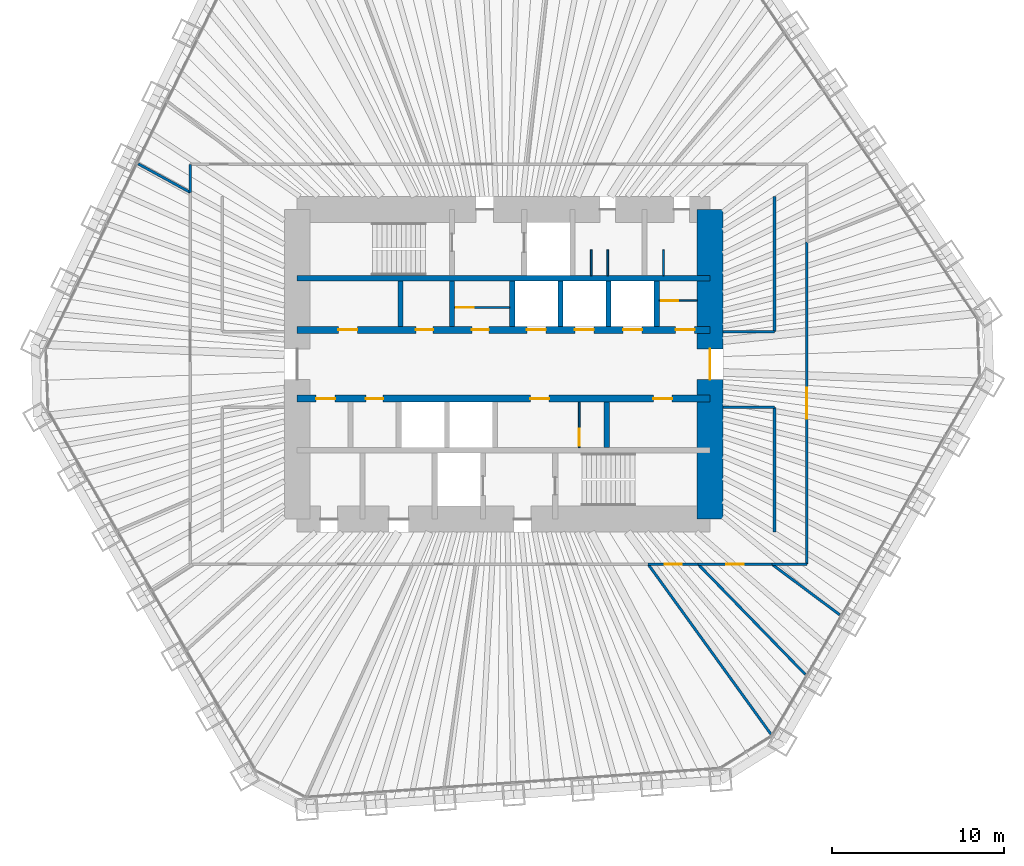
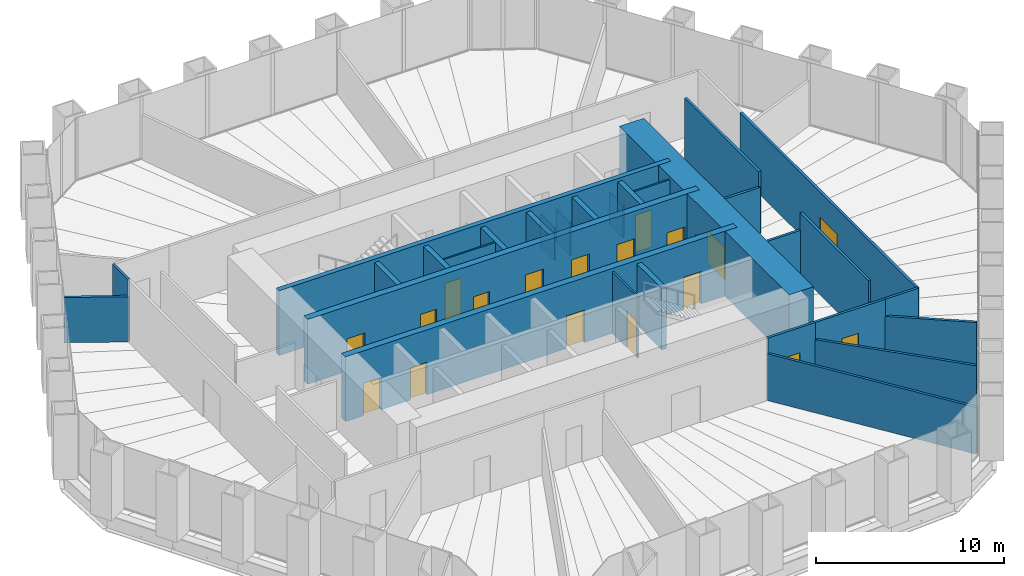
# One storey, part 11 of 13: 30 walls, 18 doors, 18 openings.
"""IFC4 building model written with IfcOpenShell, lengths in metres."""

import ifcopenshell
import ifcopenshell.guid

model = None  # the IFC model being written
_history = None  # IfcOwnerHistory: only IFC2X3 demands one
_inside = {}  # id of a spatial element -> (the spatial element, [elements in it])
_under = {}  # id of a project, library or spatial element -> (it, [spatial elements below it])
_declared = {}  # id of a project -> (the project, [libraries it declares])
_typed = {}  # id of a type object -> (the type object, [elements of that type])
_made_of = {}  # id of a material, layer set ... -> (it, [elements and type objects made of it])


def new_model(schema):
    """Start an empty IFC model of exactly this schema.

    Asked for "IFC4X3", IfcOpenShell would pick the latest addendum, in which some entities
    have other attributes; the version numbers below select the first issue.
    IFC2X3 requires an IfcOwnerHistory on every rooted entity: one is made here for all.
    """
    global model, _history
    if schema == "IFC4X3":
        model = ifcopenshell.file(schema_version=(4, 3, 0, 0))
    else:
        model = ifcopenshell.file(schema=schema)
    _inside.clear()
    _under.clear()
    _declared.clear()
    _typed.clear()
    _made_of.clear()
    _history = None
    if model.schema == "IFC2X3":
        org = make("IfcOrganization", Name="unknown")
        user = make(
            "IfcPersonAndOrganization",
            ThePerson=make("IfcPerson", FamilyName="unknown"),
            TheOrganization=org,
        )
        app = make(
            "IfcApplication",
            ApplicationDeveloper=org,
            Version="unknown",
            ApplicationFullName="unknown",
            ApplicationIdentifier="unknown",
        )
        _history = make(
            "IfcOwnerHistory",
            OwningUser=user,
            OwningApplication=app,
            ChangeAction="ADDED",
            CreationDate=0,
        )
    return model


def make(cls, **values):
    """One entity of the class cls with the attributes given. An attribute that is None is left unset."""
    return model.create_entity(
        cls, **{name: value for name, value in values.items() if value is not None}
    )


def rooted(cls, **values):
    """An entity with a GlobalId (a new one), such as an element, a storey or a relation."""
    return make(cls, GlobalId=ifcopenshell.guid.new(), OwnerHistory=_history, **values)


def si_unit(unit_type, name, prefix=None):
    """IfcSIUnit, for example si_unit("LENGTHUNIT", "METRE", prefix="MILLI")."""
    return make("IfcSIUnit", UnitType=unit_type, Prefix=prefix, Name=name)


def assignment(units):
    """IfcUnitAssignment: the units of a project."""
    return None if units is None else make("IfcUnitAssignment", Units=units)


def point(xyz):
    """IfcCartesianPoint."""
    return None if xyz is None else make("IfcCartesianPoint", Coordinates=xyz)


def direction(xyz):
    """IfcDirection."""
    return None if xyz is None else make("IfcDirection", DirectionRatios=xyz)


def frame(location, z_axis=None, x_axis=None):
    """IfcAxis2Placement3D, a coordinate frame: its origin and axes. An axis left out is left unset."""
    return make(
        "IfcAxis2Placement3D",
        Location=point(location),
        Axis=direction(z_axis),
        RefDirection=direction(x_axis),
    )


def frame_2d(location, x_axis=None):
    """IfcAxis2Placement2D, a coordinate frame in the plane: its origin and x axis."""
    return make(
        "IfcAxis2Placement2D", Location=point(location), RefDirection=direction(x_axis)
    )


def origin():
    """The frame at (0, 0, 0) with its axes left unset."""
    return frame((0.0, 0.0, 0.0))


def place(relative_to, where):
    """IfcLocalPlacement: puts the frame where relative to a parent placement (None: the world)."""
    return make(
        "IfcLocalPlacement", PlacementRelTo=relative_to, RelativePlacement=where
    )


def context(
    kind, dimensions, precision=None, world=None, true_north=None, identifier=None
):
    """IfcGeometricRepresentationContext, for example the 3D "Model" context."""
    return make(
        "IfcGeometricRepresentationContext",
        ContextIdentifier=identifier,
        ContextType=kind,
        CoordinateSpaceDimension=dimensions,
        Precision=precision,
        WorldCoordinateSystem=world,
        TrueNorth=true_north,
    )


def subcontext(parent, identifier, kind, view, scale=None):
    """IfcGeometricRepresentationSubContext, for example "Body" below "Model"."""
    return make(
        "IfcGeometricRepresentationSubContext",
        ContextIdentifier=identifier,
        ContextType=kind,
        ParentContext=parent,
        TargetScale=scale,
        TargetView=view,
    )


def project(units=None, contexts=None):
    """IfcProject with its units and contexts."""
    return rooted(
        "IfcProject",
        Name="project",
        RepresentationContexts=contexts,
        UnitsInContext=assignment(units),
    )


def spatial(cls, under=None, at=None, **own):
    """A site, building, storey or space (cls), placed at a placement, below another one or the project."""
    s = rooted(cls, ObjectPlacement=at, **own)
    if under is not None:
        _under.setdefault(under.id(), (under, []))[1].append(s)
    return s


def profile(cls, at=None, kind="AREA", **sizes):
    """A parametric profile (cls). Its sizes go by their IFC names, for example OverallWidth=200.0."""
    return make(cls, ProfileType=kind, Position=at, **sizes)


def rectangle(**sizes):
    """IfcRectangleProfileDef."""
    return profile("IfcRectangleProfileDef", **sizes)


def extrude(swept, where, along, depth):
    """IfcExtrudedAreaSolid: the profile swept, set in the frame where, extruded along a direction by depth."""
    return make(
        "IfcExtrudedAreaSolid",
        SweptArea=swept,
        Position=where,
        ExtrudedDirection=direction(along),
        Depth=depth,
    )


def shape(context_of_items, identifier, shape_type, items):
    """IfcShapeRepresentation: the items that make up one representation, for example the "Body"."""
    return make(
        "IfcShapeRepresentation",
        ContextOfItems=context_of_items,
        RepresentationIdentifier=identifier,
        RepresentationType=shape_type,
        Items=items,
    )


def material(Name=None, Category=None):
    """IfcMaterial."""
    return make("IfcMaterial", Name=Name, Category=Category)


def layer(
    of_material, thickness, ventilated=None, Name=None, Category=None, Priority=None
):
    """IfcMaterialLayer: one layer of a wall or slab, of a material (None: an air gap)."""
    return make(
        "IfcMaterialLayer",
        Material=of_material,
        LayerThickness=thickness,
        IsVentilated=ventilated,
        Name=Name,
        Category=Category,
        Priority=Priority,
    )


def layer_set(layers, Name=None):
    """IfcMaterialLayerSet."""
    return make("IfcMaterialLayerSet", MaterialLayers=layers, LayerSetName=Name)


def made_of(thing, what):
    """Note that an element or type object is made of a material, layer set ...; save() writes the relation."""
    if what is not None:
        _made_of.setdefault(what.id(), (what, []))[1].append(thing)
    return thing


def type_object(cls, material=None, **own):
    """A type object (cls), such as IfcWallType, which elements share."""
    return made_of(rooted(cls, **own), material)


def element(
    cls,
    number,
    at=None,
    inside=None,
    cuts=None,
    type_object=None,
    material=None,
    context=None,
    identifier="Body",
    shape_type=None,
    held_by="IfcProductDefinitionShape",
    body=None,
    shapes=None,
    **own,
):
    """One element of the class cls, such as IfcWall. Its Tag is "e" and its number.

    at: its placement. inside: the storey or other place that contains it. cuts: it is an
    opening in that element (IfcRelVoidsElement). A single representation is given by context,
    identifier, shape_type and body (its items); several are given by shapes. held_by: the class
    of the entity that holds the representations. save() writes the other relations.
    """
    e = rooted(cls, Tag="e%d" % number, ObjectPlacement=at, **own)
    if body is not None:
        shapes = [shape(context, identifier, shape_type, body)]
    if shapes is not None:
        e.Representation = make(held_by, Representations=shapes)
    if inside is not None:
        _inside.setdefault(inside.id(), (inside, []))[1].append(e)
    if cuts is not None:
        rooted(
            "IfcRelVoidsElement", RelatingBuildingElement=cuts, RelatedOpeningElement=e
        )
    if type_object is not None:
        _typed.setdefault(type_object.id(), (type_object, []))[1].append(e)
    return made_of(e, material)


def fill(opening, filler):
    """IfcRelFillsElement: the door or window that sits in an opening."""
    return rooted(
        "IfcRelFillsElement",
        RelatingOpeningElement=opening,
        RelatedBuildingElement=filler,
    )


def aggregate(whole, parts):
    """IfcRelAggregates: a whole, such as a stair, and the parts it consists of."""
    return rooted("IfcRelAggregates", RelatingObject=whole, RelatedObjects=parts)


def save(model, path):
    """Write the relations noted so far, then the file.

    IfcRelAggregates (storeys below a building ...), IfcRelContainedInSpatialStructure (elements
    in a storey), IfcRelDefinesByType, IfcRelAssociatesMaterial and IfcRelDeclares: one each for
    every whole, place, type object, material and project.
    """
    for whole, parts in _under.values():
        aggregate(whole, parts)
    for where, things in _inside.values():
        rooted(
            "IfcRelContainedInSpatialStructure",
            RelatedElements=things,
            RelatingStructure=where,
        )
    for kind, things in _typed.values():
        rooted("IfcRelDefinesByType", RelatedObjects=things, RelatingType=kind)
    for what, things in _made_of.values():
        rooted("IfcRelAssociatesMaterial", RelatedObjects=things, RelatingMaterial=what)
    for by, libraries in _declared.values():
        rooted("IfcRelDeclares", RelatingContext=by, RelatedDefinitions=libraries)
    model.write(path)


model = new_model("IFC4")

# Units and contexts
model_context = context("Model", 3, precision=1e-05, world=origin(), true_north=direction((0.0, 1.0)))
body_context = subcontext(model_context, "Body", "Model", "MODEL_VIEW")
ifc_project = project(units=[si_unit("LENGTHUNIT", "METRE"), si_unit("AREAUNIT", "SQUARE_METRE"), si_unit("VOLUMEUNIT", "CUBIC_METRE"), si_unit("PLANEANGLEUNIT", "RADIAN"), si_unit("MASSUNIT", "GRAM", prefix="KILO")], contexts=[model_context])

# Site, building, storey
site_placement = place(None, origin())
site = spatial("IfcSite", under=ifc_project, at=site_placement, CompositionType="ELEMENT")
building_placement = place(site_placement, origin())
building = spatial("IfcBuilding", under=site, at=building_placement, Name="Qingtian Harvest Tower", CompositionType="ELEMENT")
storey_placement = place(building_placement, frame((0.0, 0.0, 166.0)))
storey = spatial("IfcBuildingStorey", under=building, at=storey_placement, Name="L35", CompositionType="ELEMENT", Elevation=166.0)

# Wall
ifc_material_1 = material(Name="Concrete fc' 70 MPa", Category="concrete")
ifc_layer_1 = layer(ifc_material_1, 0.300048828125)
ifc_layer_set_1 = layer_set([ifc_layer_1], Name="Core inner wall RC5 300")
wall_type_1 = type_object("IfcWallType", Name="Core inner wall RC5 300", PredefinedType="SHEAR", material=ifc_layer_set_1)
wall_1_placement = place(storey_placement, frame((-12.0, 5.0, 0.0), z_axis=(0.0, 0.0, 1.0), x_axis=(1.0, 0.0, 0.0)))
element("IfcWall", 1, at=wall_1_placement, inside=storey, type_object=wall_type_1, Name="Core wall IN5 L35", PredefinedType="SHEAR", context=body_context, shape_type="SweptSolid", body=[
    extrude(rectangle(XDim=24.0, YDim=0.300048828125, at=frame_2d((12.0, 0.0))), origin(), (0.0, 0.0, 1.0), 4.199951171875),
])

# Wall, openings, doors
ifc_material_2 = material(Name="Concrete fc' 70 MPa", Category="concrete")
ifc_layer_2 = layer(ifc_material_2, 0.39990234375)
ifc_layer_set_2 = layer_set([ifc_layer_2], Name="Core inner web RC6 400")
wall_type_2 = type_object("IfcWallType", Name="Core inner web RC6 400", PredefinedType="SHEAR", material=ifc_layer_set_2)
wall_2_placement = place(storey_placement, frame((-12.0, 2.0, 0.0), z_axis=(0.0, 0.0, 1.0), x_axis=(1.0, 0.0, 0.0)))
wall_2 = element("IfcWall", 2, at=wall_2_placement, inside=storey, type_object=wall_type_2, Name="Core wall IN2 L35", PredefinedType="SHEAR", context=body_context, shape_type="SweptSolid", body=[
    extrude(rectangle(XDim=24.0, YDim=0.39990234375, at=frame_2d((12.0, 0.0))), origin(), (0.0, 0.0, 1.0), 4.199951171875),
])
opening_1_placement = place(wall_2_placement, frame((2.39990234375, 0.0, 0.0)))
opening_1 = element("IfcOpeningElement", 3, at=opening_1_placement, cuts=wall_2, Name="Opening FD4", PredefinedType="OPENING", context=body_context, shape_type="SweptSolid", body=[
    extrude(rectangle(XDim=1.10009765625, YDim=2.10009765625, at=frame_2d((0.550048828125, 1.050048828125))), frame((0.0, 0.2099609375, 0.0), z_axis=(0.0, -1.0, 0.0), x_axis=(1.0, 0.0, 0.0)), (0.0, 0.0, 1.0), 0.419921875),
])
opening_2_placement = place(wall_2_placement, frame((22.0, 0.0, 0.0)))
opening_2 = element("IfcOpeningElement", 4, at=opening_2_placement, cuts=wall_2, Name="Opening FD4", PredefinedType="OPENING", context=body_context, shape_type="SweptSolid", body=[
    extrude(rectangle(XDim=1.10009765625, YDim=2.10009765625, at=frame_2d((0.550048828125, 1.050048828125))), frame((0.0, 0.2099609375, 0.0), z_axis=(0.0, -1.0, 0.0), x_axis=(1.0, 0.0, 0.0)), (0.0, 0.0, 1.0), 0.419921875),
])
opening_3_placement = place(wall_2_placement, frame((10.14990234375, 0.0, 0.0)))
opening_3 = element("IfcOpeningElement", 5, at=opening_3_placement, cuts=wall_2, Name="Opening FD1", PredefinedType="OPENING", context=body_context, shape_type="SweptSolid", body=[
    extrude(rectangle(XDim=1.0, YDim=2.10009765625, at=frame_2d((0.5, 1.050048828125))), frame((0.0, 0.2099609375, 0.0), z_axis=(0.0, -1.0, 0.0), x_axis=(1.0, 0.0, 0.0)), (0.0, 0.0, 1.0), 0.419921875),
])
opening_4_placement = place(wall_2_placement, frame((6.89990234375, 0.0, 0.0)))
opening_4 = element("IfcOpeningElement", 6, at=opening_4_placement, cuts=wall_2, Name="Opening FD1", PredefinedType="OPENING", context=body_context, shape_type="SweptSolid", body=[
    extrude(rectangle(XDim=1.0, YDim=2.10009765625, at=frame_2d((0.5, 1.050048828125))), frame((0.0, 0.2099609375, 0.0), z_axis=(0.0, -1.0, 0.0), x_axis=(1.0, 0.0, 0.0)), (0.0, 0.0, 1.0), 0.419921875),
])
opening_5_placement = place(wall_2_placement, frame((13.35009765625, 0.0, 0.0)))
opening_5 = element("IfcOpeningElement", 7, at=opening_5_placement, cuts=wall_2, Name="Opening LD1", PredefinedType="OPENING", context=body_context, shape_type="SweptSolid", body=[
    extrude(rectangle(XDim=1.10009765625, YDim=2.39990234375, at=frame_2d((0.550048828125, 1.199951171875))), frame((0.0, 0.2099609375, 0.0), z_axis=(0.0, -1.0, 0.0), x_axis=(1.0, 0.0, 0.0)), (0.0, 0.0, 1.0), 0.419921875),
])
opening_6_placement = place(wall_2_placement, frame((16.14990234375, 0.0, 0.0)))
opening_6 = element("IfcOpeningElement", 8, at=opening_6_placement, cuts=wall_2, Name="Opening LD1", PredefinedType="OPENING", context=body_context, shape_type="SweptSolid", body=[
    extrude(rectangle(XDim=1.10009765625, YDim=2.39990234375, at=frame_2d((0.550048828125, 1.199951171875))), frame((0.0, 0.2099609375, 0.0), z_axis=(0.0, -1.0, 0.0), x_axis=(1.0, 0.0, 0.0)), (0.0, 0.0, 1.0), 0.419921875),
])
opening_7_placement = place(wall_2_placement, frame((18.949951171875, 0.0, 0.0)))
opening_7 = element("IfcOpeningElement", 9, at=opening_7_placement, cuts=wall_2, Name="Opening LD1", PredefinedType="OPENING", context=body_context, shape_type="SweptSolid", body=[
    extrude(rectangle(XDim=1.10009765625, YDim=2.39990234375, at=frame_2d((0.550048828125, 1.199951171875))), frame((0.0, 0.2099609375, 0.0), z_axis=(0.0, -1.0, 0.0), x_axis=(1.0, 0.0, 0.0)), (0.0, 0.0, 1.0), 0.419921875),
])
ifc_material_3 = material(Name="Steel-faced door leaf", Category="steel")
door_type_1 = type_object("IfcDoorType", Name="Fire door FD1 single 1 HR", OperationType="SINGLE_SWING_LEFT", PredefinedType="DOOR", material=ifc_material_3)
door_1_placement = place(opening_3_placement, origin())
door_1 = element("IfcDoor", 10, at=door_1_placement, inside=storey, type_object=door_type_1, Name="STA door L35", OperationType="SINGLE_SWING_LEFT", OverallHeight=2.10009765625, OverallWidth=1.0, PredefinedType="DOOR", context=body_context, shape_type="SweptSolid", body=[
    extrude(rectangle(XDim=1.0, YDim=2.10009765625, at=frame_2d((0.5, 1.050048828125))), frame((0.0, 0.02490234375, 0.0), z_axis=(0.0, -1.0, 0.0), x_axis=(1.0, 0.0, 0.0)), (0.0, 0.0, 1.0), 0.050048828125),
])
fill(opening_3, door_1)
door_2_placement = place(opening_4_placement, origin())
door_2 = element("IfcDoor", 11, at=door_2_placement, inside=storey, type_object=door_type_1, Name="Linen store door L35", OperationType="SINGLE_SWING_LEFT", OverallHeight=2.10009765625, OverallWidth=1.0, PredefinedType="DOOR", context=body_context, shape_type="SweptSolid", body=[
    extrude(rectangle(XDim=1.0, YDim=2.10009765625, at=frame_2d((0.5, 1.050048828125))), frame((0.0, 0.02490234375, 0.0), z_axis=(0.0, -1.0, 0.0), x_axis=(1.0, 0.0, 0.0)), (0.0, 0.0, 1.0), 0.050048828125),
])
fill(opening_4, door_2)
ifc_material_4 = material(Name="Steel-faced door leaf", Category="steel")
door_type_2 = type_object("IfcDoorType", Name="Fire door FD4 single 2 HR", OperationType="SINGLE_SWING_LEFT", PredefinedType="DOOR", material=ifc_material_4)
door_3_placement = place(opening_1_placement, origin())
door_3 = element("IfcDoor", 12, at=door_3_placement, inside=storey, type_object=door_type_2, Name="RA door L35", OperationType="SINGLE_SWING_RIGHT", OverallHeight=2.10009765625, OverallWidth=1.10009765625, PredefinedType="DOOR", context=body_context, shape_type="SweptSolid", body=[
    extrude(rectangle(XDim=1.10009765625, YDim=2.10009765625, at=frame_2d((0.550048828125, 1.050048828125))), frame((0.0, 0.02490234375, 0.0), z_axis=(0.0, -1.0, 0.0), x_axis=(1.0, 0.0, 0.0)), (0.0, 0.0, 1.0), 0.050048828125),
])
fill(opening_1, door_3)
door_4_placement = place(opening_2_placement, origin())
door_4 = element("IfcDoor", 13, at=door_4_placement, inside=storey, type_object=door_type_2, Name="AHU door L35", OperationType="SINGLE_SWING_RIGHT", OverallHeight=2.10009765625, OverallWidth=1.10009765625, PredefinedType="DOOR", context=body_context, shape_type="SweptSolid", body=[
    extrude(rectangle(XDim=1.10009765625, YDim=2.10009765625, at=frame_2d((0.550048828125, 1.050048828125))), frame((0.0, 0.02490234375, 0.0), z_axis=(0.0, -1.0, 0.0), x_axis=(1.0, 0.0, 0.0)), (0.0, 0.0, 1.0), 0.050048828125),
])
fill(opening_2, door_4)
ifc_material_5 = material(Name="Stainless steel lift landing door", Category="steel")
door_type_3 = type_object("IfcDoorType", Name="Lift landing door LD1 1 HR", OperationType="DOUBLE_DOOR_SLIDING", PredefinedType="DOOR", material=ifc_material_5)
door_5_placement = place(opening_5_placement, origin())
door_5 = element("IfcDoor", 14, at=door_5_placement, inside=storey, type_object=door_type_3, Name="PLB1 landing door L35", OperationType="DOUBLE_DOOR_SLIDING", OverallHeight=2.39990234375, OverallWidth=1.10009765625, PredefinedType="DOOR", context=body_context, shape_type="SweptSolid", body=[
    extrude(rectangle(XDim=1.10009765625, YDim=2.39990234375, at=frame_2d((0.550048828125, 1.199951171875))), frame((0.0, 0.02490234375, 0.0), z_axis=(0.0, -1.0, 0.0), x_axis=(1.0, 0.0, 0.0)), (0.0, 0.0, 1.0), 0.050048828125),
])
fill(opening_5, door_5)
door_6_placement = place(opening_6_placement, origin())
door_6 = element("IfcDoor", 15, at=door_6_placement, inside=storey, type_object=door_type_3, Name="PLB2 landing door L35", OperationType="DOUBLE_DOOR_SLIDING", OverallHeight=2.39990234375, OverallWidth=1.10009765625, PredefinedType="DOOR", context=body_context, shape_type="SweptSolid", body=[
    extrude(rectangle(XDim=1.10009765625, YDim=2.39990234375, at=frame_2d((0.550048828125, 1.199951171875))), frame((0.0, 0.02490234375, 0.0), z_axis=(0.0, -1.0, 0.0), x_axis=(1.0, 0.0, 0.0)), (0.0, 0.0, 1.0), 0.050048828125),
])
fill(opening_6, door_6)
door_7_placement = place(opening_7_placement, origin())
door_7 = element("IfcDoor", 16, at=door_7_placement, inside=storey, type_object=door_type_3, Name="PLB3 landing door L35", OperationType="DOUBLE_DOOR_SLIDING", OverallHeight=2.39990234375, OverallWidth=1.10009765625, PredefinedType="DOOR", context=body_context, shape_type="SweptSolid", body=[
    extrude(rectangle(XDim=1.10009765625, YDim=2.39990234375, at=frame_2d((0.550048828125, 1.199951171875))), frame((0.0, 0.02490234375, 0.0), z_axis=(0.0, -1.0, 0.0), x_axis=(1.0, 0.0, 0.0)), (0.0, 0.0, 1.0), 0.050048828125),
])
fill(opening_7, door_7)

wall_3_placement = place(storey_placement, frame((-12.0, -2.0, 0.0), z_axis=(0.0, 0.0, 1.0), x_axis=(1.0, 0.0, 0.0)))
wall_3 = element("IfcWall", 17, at=wall_3_placement, inside=storey, type_object=wall_type_2, Name="Core wall IS2 L35", PredefinedType="SHEAR", context=body_context, shape_type="SweptSolid", body=[
    extrude(rectangle(XDim=24.0, YDim=0.39990234375, at=frame_2d((12.0, 0.0))), origin(), (0.0, 0.0, 1.0), 4.199951171875),
])
opening_8_placement = place(wall_3_placement, frame((1.10009765625, 0.0, 0.0)))
opening_8 = element("IfcOpeningElement", 18, at=opening_8_placement, cuts=wall_3, Name="Opening FD4", PredefinedType="OPENING", context=body_context, shape_type="SweptSolid", body=[
    extrude(rectangle(XDim=1.10009765625, YDim=2.10009765625, at=frame_2d((0.550048828125, 1.050048828125))), frame((0.0, 0.2099609375, 0.0), z_axis=(0.0, -1.0, 0.0), x_axis=(1.0, 0.0, 0.0)), (0.0, 0.0, 1.0), 0.419921875),
])
opening_9_placement = place(wall_3_placement, frame((13.550048828125, 0.0, 0.0)))
opening_9 = element("IfcOpeningElement", 19, at=opening_9_placement, cuts=wall_3, Name="Opening FD4", PredefinedType="OPENING", context=body_context, shape_type="SweptSolid", body=[
    extrude(rectangle(XDim=1.10009765625, YDim=2.10009765625, at=frame_2d((0.550048828125, 1.050048828125))), frame((0.0, 0.2099609375, 0.0), z_axis=(0.0, -1.0, 0.0), x_axis=(1.0, 0.0, 0.0)), (0.0, 0.0, 1.0), 0.419921875),
])
opening_10_placement = place(wall_3_placement, frame((20.699951171875, 0.0, 0.0)))
opening_10 = element("IfcOpeningElement", 20, at=opening_10_placement, cuts=wall_3, Name="Opening FD4", PredefinedType="OPENING", context=body_context, shape_type="SweptSolid", body=[
    extrude(rectangle(XDim=1.10009765625, YDim=2.10009765625, at=frame_2d((0.550048828125, 1.050048828125))), frame((0.0, 0.2099609375, 0.0), z_axis=(0.0, -1.0, 0.0), x_axis=(1.0, 0.0, 0.0)), (0.0, 0.0, 1.0), 0.419921875),
])
opening_11_placement = place(wall_3_placement, frame((4.0, 0.0, 0.0)))
opening_11 = element("IfcOpeningElement", 21, at=opening_11_placement, cuts=wall_3, Name="Opening FD1", PredefinedType="OPENING", context=body_context, shape_type="SweptSolid", body=[
    extrude(rectangle(XDim=1.0, YDim=2.10009765625, at=frame_2d((0.5, 1.050048828125))), frame((0.0, 0.2099609375, 0.0), z_axis=(0.0, -1.0, 0.0), x_axis=(1.0, 0.0, 0.0)), (0.0, 0.0, 1.0), 0.419921875),
])
door_8_placement = place(opening_11_placement, origin())
door_8 = element("IfcDoor", 22, at=door_8_placement, inside=storey, type_object=door_type_1, Name="IT room door L35", OperationType="SINGLE_SWING_LEFT", OverallHeight=2.10009765625, OverallWidth=1.0, PredefinedType="DOOR", context=body_context, shape_type="SweptSolid", body=[
    extrude(rectangle(XDim=1.0, YDim=2.10009765625, at=frame_2d((0.5, 1.050048828125))), frame((0.0, 0.02490234375, 0.0), z_axis=(0.0, -1.0, 0.0), x_axis=(1.0, 0.0, 0.0)), (0.0, 0.0, 1.0), 0.050048828125),
])
fill(opening_11, door_8)
door_9_placement = place(opening_8_placement, origin())
door_9 = element("IfcDoor", 23, at=door_9_placement, inside=storey, type_object=door_type_2, Name="RB door L35", OperationType="SINGLE_SWING_RIGHT", OverallHeight=2.10009765625, OverallWidth=1.10009765625, PredefinedType="DOOR", context=body_context, shape_type="SweptSolid", body=[
    extrude(rectangle(XDim=1.10009765625, YDim=2.10009765625, at=frame_2d((0.550048828125, 1.050048828125))), frame((0.0, 0.02490234375, 0.0), z_axis=(0.0, -1.0, 0.0), x_axis=(1.0, 0.0, 0.0)), (0.0, 0.0, 1.0), 0.050048828125),
])
fill(opening_8, door_9)
door_10_placement = place(opening_9_placement, origin())
door_10 = element("IfcDoor", 24, at=door_10_placement, inside=storey, type_object=door_type_2, Name="ELEC door L35", OperationType="SINGLE_SWING_LEFT", OverallHeight=2.10009765625, OverallWidth=1.10009765625, PredefinedType="DOOR", context=body_context, shape_type="SweptSolid", body=[
    extrude(rectangle(XDim=1.10009765625, YDim=2.10009765625, at=frame_2d((0.550048828125, 1.050048828125))), frame((0.0, 0.02490234375, 0.0), z_axis=(0.0, -1.0, 0.0), x_axis=(1.0, 0.0, 0.0)), (0.0, 0.0, 1.0), 0.050048828125),
])
fill(opening_9, door_10)
door_11_placement = place(opening_10_placement, origin())
door_11 = element("IfcDoor", 25, at=door_11_placement, inside=storey, type_object=door_type_2, Name="DUCT door L35", OperationType="SINGLE_SWING_RIGHT", OverallHeight=2.10009765625, OverallWidth=1.10009765625, PredefinedType="DOOR", context=body_context, shape_type="SweptSolid", body=[
    extrude(rectangle(XDim=1.10009765625, YDim=2.10009765625, at=frame_2d((0.550048828125, 1.050048828125))), frame((0.0, 0.02490234375, 0.0), z_axis=(0.0, -1.0, 0.0), x_axis=(1.0, 0.0, 0.0)), (0.0, 0.0, 1.0), 0.050048828125),
])
fill(opening_10, door_11)

# Walls
ifc_material_6 = material(Name="Precast concrete shaft panel", Category="concrete")
ifc_layer_3 = layer(ifc_material_6, 0.300048828125)
ifc_layer_set_3 = layer_set([ifc_layer_3], Name="Core shaft partition SW1 300")
wall_type_3 = type_object("IfcWallType", Name="Core shaft partition SW1 300", PredefinedType="PARTITIONING", material=ifc_layer_set_3)
for number, where, z_axis, x_axis, name in (
    (26, (-6.0, 2.199951171875, 0.0), (0.0, 0.0, 1.0), (0.0, 1.0, 0.0), "Core shaft partition XA1 L35"),
    (27, (-3.0, 2.199951171875, 0.0), (0.0, 0.0, 1.0), (0.0, 1.0, 0.0), "Core shaft partition XA2 L35"),
    (28, (0.5, 2.199951171875, 0.0), (0.0, 0.0, 1.0), (0.0, 1.0, 0.0), "Core shaft partition XA3 L35"),
    (29, (3.300048828125, 2.199951171875, 0.0), (0.0, 0.0, 1.0), (0.0, 1.0, 0.0), "Core shaft partition XA4 L35"),
    (30, (6.10009765625, 2.199951171875, 0.0), (0.0, 0.0, 1.0), (0.0, 1.0, 0.0), "Core shaft partition XA5 L35"),
    (31, (8.89990234375, 2.199951171875, 0.0), (0.0, 0.0, 1.0), (0.0, 1.0, 0.0), "Core shaft partition XA6 L35"),
    (32, (6.0, -4.85009765625, 0.0), (0.0, 0.0, 1.0), (0.0, 1.0, 0.0), "Core shaft partition XB5 L35"),
):
    element("IfcWall", number, at=place(storey_placement, frame(where, z_axis=z_axis, x_axis=x_axis)), inside=storey, type_object=wall_type_3, Name=name, PredefinedType="PARTITIONING", context=body_context, shape_type="SweptSolid", body=[
        extrude(rectangle(XDim=2.650146484375, YDim=0.300048828125, at=frame_2d((1.3251953125, 0.0))), origin(), (0.0, 0.0, 1.0), 3.97998046875),
    ])

# Wall, opening, door
ifc_material_7 = material(Name="Concrete fc' 70 MPa", Category="concrete")
ifc_layer_4 = layer(ifc_material_7, 1.5)
ifc_layer_set_4 = layer_set([ifc_layer_4], Name="Core wall RC1 1500")
wall_type_4 = type_object("IfcWallType", Name="Core wall RC1 1500", PredefinedType="SHEAR", material=ifc_layer_set_4)
wall_4_placement = place(storey_placement, frame((12.0, -9.0, 0.0), z_axis=(0.0, 0.0, 1.0), x_axis=(0.0, 1.0, 0.0)))
wall_4 = element("IfcWall", 33, at=wall_4_placement, inside=storey, type_object=wall_type_4, Name="Core wall CE L35", PredefinedType="SHEAR", context=body_context, shape_type="SweptSolid", body=[
    extrude(rectangle(XDim=18.0, YDim=1.5, at=frame_2d((9.0, 0.0))), origin(), (0.0, 0.0, 1.0), 4.199951171875),
])
opening_12_placement = place(wall_4_placement, frame((8.10009765625, 0.0, 0.0)))
opening_12 = element("IfcOpeningElement", 34, at=opening_12_placement, cuts=wall_4, Name="Opening FD2", PredefinedType="OPENING", context=body_context, shape_type="SweptSolid", body=[
    extrude(rectangle(XDim=1.800048828125, YDim=2.10009765625, at=frame_2d((0.89990234375, 1.050048828125))), frame((0.0, 0.760009765625, 0.0), z_axis=(0.0, -1.0, 0.0), x_axis=(1.0, 0.0, 0.0)), (0.0, 0.0, 1.0), 1.52001953125),
])
ifc_material_8 = material(Name="Steel-faced door leaf", Category="steel")
door_type_4 = type_object("IfcDoorType", Name="Fire door FD2 double 1 HR", OperationType="DOUBLE_DOOR_DOUBLE_SWING", PredefinedType="DOOR", material=ifc_material_8)
door_12_placement = place(opening_12_placement, origin())
door_12 = element("IfcDoor", 35, at=door_12_placement, inside=storey, type_object=door_type_4, Name="LOBBY-E door L35", OperationType="DOUBLE_DOOR_DOUBLE_SWING", OverallHeight=2.10009765625, OverallWidth=1.800048828125, PredefinedType="DOOR", context=body_context, shape_type="SweptSolid", body=[
    extrude(rectangle(XDim=1.800048828125, YDim=2.10009765625, at=frame_2d((0.89990234375, 1.050048828125))), frame((0.0, 0.02490234375, 0.0), z_axis=(0.0, -1.0, 0.0), x_axis=(1.0, 0.0, 0.0)), (0.0, 0.0, 1.0), 0.050048828125),
])
fill(opening_12, door_12)

ifc_material_9 = material(Name="Gypsum board on steel studs", Category="steel")
ifc_layer_5 = layer(ifc_material_9, 0.14990234375)
ifc_layer_set_5 = layer_set([ifc_layer_5], Name="Partition PT1 150")
wall_type_5 = type_object("IfcWallType", Name="Partition PT1 150", PredefinedType="PARTITIONING", material=ifc_layer_set_5)
wall_5_placement = place(storey_placement, frame((17.625, 7.10595703125, 0.0), z_axis=(0.0, 0.0, 1.0), x_axis=(0.0, -1.0, 0.0)))
wall_5 = element("IfcWall", 36, at=wall_5_placement, inside=storey, type_object=wall_type_5, Name="Office suite wall L35", PredefinedType="PARTITIONING", context=body_context, shape_type="SweptSolid", body=[
    extrude(rectangle(XDim=18.73095703125, YDim=0.14990234375, at=frame_2d((9.365478515625, 0.0))), origin(), (0.0, 0.0, 1.0), 4.030029296875),
])
opening_13_placement = place(wall_5_placement, frame((8.465576171875, 0.0, 0.0)))
opening_13 = element("IfcOpeningElement", 37, at=opening_13_placement, cuts=wall_5, Name="Opening D3", PredefinedType="OPENING", context=body_context, shape_type="SweptSolid", body=[
    extrude(rectangle(XDim=1.800048828125, YDim=2.39990234375, at=frame_2d((0.89990234375, 1.199951171875))), frame((0.0, 0.0849609375, 0.0), z_axis=(0.0, -1.0, 0.0), x_axis=(1.0, 0.0, 0.0)), (0.0, 0.0, 1.0), 0.169921875),
])
ifc_material_10 = material(Name="Laminated timber door leaf", Category="wood")
door_type_5 = type_object("IfcDoorType", Name="Room door D3 double", OperationType="DOUBLE_DOOR_DOUBLE_SWING", PredefinedType="DOOR", material=ifc_material_10)
door_13_placement = place(opening_13_placement, origin())
door_13 = element("IfcDoor", 38, at=door_13_placement, inside=storey, type_object=door_type_5, Name="Office suite door L35", OperationType="DOUBLE_DOOR_DOUBLE_SWING", OverallHeight=2.39990234375, OverallWidth=1.800048828125, PredefinedType="DOOR", context=body_context, shape_type="SweptSolid", body=[
    extrude(rectangle(XDim=1.800048828125, YDim=2.39990234375, at=frame_2d((0.89990234375, 1.199951171875))), frame((0.0, 0.02490234375, 0.0), z_axis=(0.0, -1.0, 0.0), x_axis=(1.0, 0.0, 0.0)), (0.0, 0.0, 1.0), 0.050048828125),
])
fill(opening_13, door_13)

# Walls
wall_6_placement = place(storey_placement, frame((17.625, -11.625, 0.0), z_axis=(0.0, 0.0, 1.0), x_axis=(-1.0, 0.0, 0.0)))
element("IfcWall", 39, at=wall_6_placement, inside=storey, type_object=wall_type_5, Name="Office suite wall L35", PredefinedType="PARTITIONING", context=body_context, shape_type="SweptSolid", body=[
    extrude(rectangle(XDim=2.02880859375, YDim=0.14990234375, at=frame_2d((1.014404296875, 0.0))), origin(), (0.0, 0.0, 1.0), 4.030029296875),
])
wall_7_placement = place(storey_placement, frame((19.536865234375, -14.562255859375, 0.0), z_axis=(0.0, 0.0, 1.0), x_axis=(-0.801778753003, 0.597620976233, 0.0)))
element("IfcWall", 40, at=wall_7_placement, inside=storey, type_object=wall_type_5, Name="Private office wall L35", PredefinedType="PARTITIONING", context=body_context, shape_type="SweptSolid", body=[
    extrude(rectangle(XDim=4.914794921875, YDim=0.14990234375, at=frame_2d((2.45751953125, 0.0))), origin(), (0.0, 0.0, 1.0), 2.929931640625),
])

# Wall, opening, door
wall_8_placement = place(storey_placement, frame((15.59619140625, -11.625, 0.0), z_axis=(0.0, 0.0, 1.0), x_axis=(-1.0, 0.0, 0.0)))
wall_8 = element("IfcWall", 41, at=wall_8_placement, inside=storey, type_object=wall_type_5, Name="Private office wall L35", PredefinedType="PARTITIONING", context=body_context, shape_type="SweptSolid", body=[
    extrude(rectangle(XDim=4.2890625, YDim=0.14990234375, at=frame_2d((2.14453125, 0.0))), origin(), (0.0, 0.0, 1.0), 4.030029296875),
])
opening_14_placement = place(wall_8_placement, frame((1.64453125, 0.0, 0.0)))
opening_14 = element("IfcOpeningElement", 42, at=opening_14_placement, cuts=wall_8, Name="Opening D2", PredefinedType="OPENING", context=body_context, shape_type="SweptSolid", body=[
    extrude(rectangle(XDim=1.0, YDim=2.39990234375, at=frame_2d((0.5, 1.199951171875))), frame((0.0, 0.0849609375, 0.0), z_axis=(0.0, -1.0, 0.0), x_axis=(1.0, 0.0, 0.0)), (0.0, 0.0, 1.0), 0.169921875),
])
ifc_material_11 = material(Name="Laminated timber door leaf", Category="wood")
door_type_6 = type_object("IfcDoorType", Name="Room door D2 single", OperationType="SINGLE_SWING_LEFT", PredefinedType="DOOR", material=ifc_material_11)
door_14_placement = place(opening_14_placement, origin())
door_14 = element("IfcDoor", 43, at=door_14_placement, inside=storey, type_object=door_type_6, Name="Private office door L35", OperationType="SINGLE_SWING_LEFT", OverallHeight=2.39990234375, OverallWidth=1.0, PredefinedType="DOOR", context=body_context, shape_type="SweptSolid", body=[
    extrude(rectangle(XDim=1.0, YDim=2.39990234375, at=frame_2d((0.5, 1.199951171875))), frame((0.0, 0.02490234375, 0.0), z_axis=(0.0, -1.0, 0.0), x_axis=(1.0, 0.0, 0.0)), (0.0, 0.0, 1.0), 0.050048828125),
])
fill(opening_14, door_14)

# Wall
wall_9_placement = place(storey_placement, frame((17.537841796875, -18.031005859375, 0.0), z_axis=(0.0, 0.0, 1.0), x_axis=(-0.697230918085, 0.716846599257, 0.0)))
element("IfcWall", 44, at=wall_9_placement, inside=storey, type_object=wall_type_5, Name="Private office wall L35", PredefinedType="PARTITIONING", context=body_context, shape_type="SweptSolid", body=[
    extrude(rectangle(XDim=8.936279296875, YDim=0.14990234375, at=frame_2d((4.46826171875, 0.0))), origin(), (0.0, 0.0, 1.0), 2.929931640625),
])

# Wall, opening, door
wall_10_placement = place(storey_placement, frame((11.30712890625, -11.625, 0.0), z_axis=(0.0, 0.0, 1.0), x_axis=(-1.0, 0.0, 0.0)))
wall_10 = element("IfcWall", 45, at=wall_10_placement, inside=storey, type_object=wall_type_5, Name="Private office wall L35", PredefinedType="PARTITIONING", context=body_context, shape_type="SweptSolid", body=[
    extrude(rectangle(XDim=2.90576171875, YDim=0.14990234375, at=frame_2d((1.452880859375, 0.0))), origin(), (0.0, 0.0, 1.0), 4.030029296875),
])
opening_15_placement = place(wall_10_placement, frame((0.952880859375, 0.0, 0.0)))
opening_15 = element("IfcOpeningElement", 46, at=opening_15_placement, cuts=wall_10, Name="Opening D2", PredefinedType="OPENING", context=body_context, shape_type="SweptSolid", body=[
    extrude(rectangle(XDim=1.0, YDim=2.39990234375, at=frame_2d((0.5, 1.199951171875))), frame((0.0, 0.0849609375, 0.0), z_axis=(0.0, -1.0, 0.0), x_axis=(1.0, 0.0, 0.0)), (0.0, 0.0, 1.0), 0.169921875),
])
door_15_placement = place(opening_15_placement, origin())
door_15 = element("IfcDoor", 47, at=door_15_placement, inside=storey, type_object=door_type_6, Name="Private office door L35", OperationType="SINGLE_SWING_LEFT", OverallHeight=2.39990234375, OverallWidth=1.0, PredefinedType="DOOR", context=body_context, shape_type="SweptSolid", body=[
    extrude(rectangle(XDim=1.0, YDim=2.39990234375, at=frame_2d((0.5, 1.199951171875))), frame((0.0, 0.02490234375, 0.0), z_axis=(0.0, -1.0, 0.0), x_axis=(1.0, 0.0, 0.0)), (0.0, 0.0, 1.0), 0.050048828125),
])
fill(opening_15, door_15)

# Walls
wall_11_placement = place(storey_placement, frame((15.53955078125, -21.50244140625, 0.0), z_axis=(0.0, 0.0, 1.0), x_axis=(-0.585731902034, 0.810504866697, 0.0)))
element("IfcWall", 48, at=wall_11_placement, inside=storey, type_object=wall_type_5, Name="Grower training room wall L35", PredefinedType="PARTITIONING", context=body_context, shape_type="SweptSolid", body=[
    extrude(rectangle(XDim=12.186767578125, YDim=0.14990234375, at=frame_2d((6.09326171875, 0.0))), origin(), (0.0, 0.0, 1.0), 3.030029296875),
])
wall_12_placement = place(storey_placement, frame((-21.242431640625, 11.65087890625, 0.0), z_axis=(0.0, 0.0, 1.0), x_axis=(0.876768023831, -0.480913539409, 0.0)))
element("IfcWall", 49, at=wall_12_placement, inside=storey, type_object=wall_type_5, Name="Store room wall L35", PredefinedType="PARTITIONING", context=body_context, shape_type="SweptSolid", body=[
    extrude(rectangle(XDim=3.44140625, YDim=0.14990234375, at=frame_2d((1.720703125, 0.0))), origin(), (0.0, 0.0, 1.0), 2.929931640625),
])
wall_13_placement = place(storey_placement, frame((-18.22509765625, 9.995849609375, 0.0), z_axis=(0.0, 0.0, 1.0), x_axis=(0.0, 1.0, 0.0)))
element("IfcWall", 50, at=wall_13_placement, inside=storey, type_object=wall_type_5, Name="Store room wall L35", PredefinedType="PARTITIONING", context=body_context, shape_type="SweptSolid", body=[
    extrude(rectangle(XDim=1.629150390625, YDim=0.14990234375, at=frame_2d((0.814453125, 0.0))), origin(), (0.0, 0.0, 1.0), 4.030029296875),
])
wall_14_placement = place(storey_placement, frame((15.75, 1.89990234375, 0.0), z_axis=(0.0, 0.0, 1.0), x_axis=(0.0, 1.0, 0.0)))
element("IfcWall", 51, at=wall_14_placement, inside=storey, type_object=wall_type_5, Name="Breakout space wall L35", PredefinedType="PARTITIONING", context=body_context, shape_type="SweptSolid", body=[
    extrude(rectangle(XDim=7.85009765625, YDim=0.14990234375, at=frame_2d((3.925048828125, 0.0))), origin(), (0.0, 0.0, 1.0), 4.030029296875),
])
wall_15_placement = place(storey_placement, frame((12.75, 1.89990234375, 0.0), z_axis=(0.0, 0.0, 1.0), x_axis=(1.0, 0.0, 0.0)))
element("IfcWall", 52, at=wall_15_placement, inside=storey, type_object=wall_type_5, Name="Breakout space wall L35", PredefinedType="PARTITIONING", context=body_context, shape_type="SweptSolid", body=[
    extrude(rectangle(XDim=3.0, YDim=0.14990234375, at=frame_2d((1.5, 0.0))), origin(), (0.0, 0.0, 1.0), 3.030029296875),
])
wall_16_placement = place(storey_placement, frame((15.75, -9.75, 0.0), z_axis=(0.0, 0.0, 1.0), x_axis=(0.0, 1.0, 0.0)))
element("IfcWall", 53, at=wall_16_placement, inside=storey, type_object=wall_type_5, Name="Print area wall L35", PredefinedType="PARTITIONING", context=body_context, shape_type="SweptSolid", body=[
    extrude(rectangle(XDim=7.25, YDim=0.14990234375, at=frame_2d((3.625, 0.0))), origin(), (0.0, 0.0, 1.0), 4.030029296875),
])
wall_17_placement = place(storey_placement, frame((12.75, -2.5, 0.0), z_axis=(0.0, 0.0, 1.0), x_axis=(1.0, 0.0, 0.0)))
element("IfcWall", 54, at=wall_17_placement, inside=storey, type_object=wall_type_5, Name="Print area wall L35", PredefinedType="PARTITIONING", context=body_context, shape_type="SweptSolid", body=[
    extrude(rectangle(XDim=3.0, YDim=0.14990234375, at=frame_2d((1.5, 0.0))), origin(), (0.0, 0.0, 1.0), 2.929931640625),
])

# Wall, opening, door
ifc_material_12 = material(Name="Concrete block partition", Category="concrete")
ifc_layer_6 = layer(ifc_material_12, 0.10009765625)
ifc_layer_set_6 = layer_set([ifc_layer_6], Name="Store partition PT3 100")
wall_type_6 = type_object("IfcWallType", Name="Store partition PT3 100", PredefinedType="PARTITIONING", material=ifc_layer_set_6)
wall_18_placement = place(storey_placement, frame((-2.85009765625, 3.300048828125, 0.0), z_axis=(0.0, 0.0, 1.0), x_axis=(1.0, 0.0, 0.0)))
wall_18 = element("IfcWall", 55, at=wall_18_placement, inside=storey, type_object=wall_type_6, Name="Stationery store wall L35", PredefinedType="PARTITIONING", context=body_context, shape_type="SweptSolid", body=[
    extrude(rectangle(XDim=3.2001953125, YDim=0.10009765625, at=frame_2d((1.60009765625, 0.0))), origin(), (0.0, 0.0, 1.0), 3.97998046875),
])
opening_16_placement = place(wall_18_placement, frame((0.10009765625, 0.0, 0.0)))
opening_16 = element("IfcOpeningElement", 56, at=opening_16_placement, cuts=wall_18, Name="Opening D2", PredefinedType="OPENING", context=body_context, shape_type="SweptSolid", body=[
    extrude(rectangle(XDim=1.0, YDim=2.39990234375, at=frame_2d((0.5, 1.199951171875))), frame((0.0, 0.06005859375, 0.0), z_axis=(0.0, -1.0, 0.0), x_axis=(1.0, 0.0, 0.0)), (0.0, 0.0, 1.0), 0.1201171875),
])
door_16_placement = place(opening_16_placement, origin())
door_16 = element("IfcDoor", 57, at=door_16_placement, inside=storey, type_object=door_type_6, Name="Stationery store door L35", OperationType="SINGLE_SWING_LEFT", OverallHeight=2.39990234375, OverallWidth=1.0, PredefinedType="DOOR", context=body_context, shape_type="SweptSolid", body=[
    extrude(rectangle(XDim=1.0, YDim=2.39990234375, at=frame_2d((0.5, 1.199951171875))), frame((0.0, 0.02490234375, 0.0), z_axis=(0.0, -1.0, 0.0), x_axis=(1.0, 0.0, 0.0)), (0.0, 0.0, 1.0), 0.050048828125),
])
fill(opening_16, door_16)

wall_19_placement = place(storey_placement, frame((4.39990234375, -4.85009765625, 0.0), z_axis=(0.0, 0.0, 1.0), x_axis=(0.0, 1.0, 0.0)))
wall_19 = element("IfcWall", 58, at=wall_19_placement, inside=storey, type_object=wall_type_6, Name="Comms room wall L35", PredefinedType="PARTITIONING", context=body_context, shape_type="SweptSolid", body=[
    extrude(rectangle(XDim=2.650146484375, YDim=0.10009765625, at=frame_2d((1.3251953125, 0.0))), origin(), (0.0, 0.0, 1.0), 3.97998046875),
])
opening_17_placement = place(wall_19_placement, frame((0.10009765625, 0.0, 0.0)))
opening_17 = element("IfcOpeningElement", 59, at=opening_17_placement, cuts=wall_19, Name="Opening D2", PredefinedType="OPENING", context=body_context, shape_type="SweptSolid", body=[
    extrude(rectangle(XDim=1.0, YDim=2.39990234375, at=frame_2d((0.5, 1.199951171875))), frame((0.0, 0.06005859375, 0.0), z_axis=(0.0, -1.0, 0.0), x_axis=(1.0, 0.0, 0.0)), (0.0, 0.0, 1.0), 0.1201171875),
])
door_17_placement = place(opening_17_placement, origin())
door_17 = element("IfcDoor", 60, at=door_17_placement, inside=storey, type_object=door_type_6, Name="Comms room door L35", OperationType="SINGLE_SWING_RIGHT", OverallHeight=2.39990234375, OverallWidth=1.0, PredefinedType="DOOR", context=body_context, shape_type="SweptSolid", body=[
    extrude(rectangle(XDim=1.0, YDim=2.39990234375, at=frame_2d((0.5, 1.199951171875))), frame((0.0, 0.02490234375, 0.0), z_axis=(0.0, -1.0, 0.0), x_axis=(1.0, 0.0, 0.0)), (0.0, 0.0, 1.0), 0.050048828125),
])
fill(opening_17, door_17)

wall_20_placement = place(storey_placement, frame((9.050048828125, 3.699951171875, 0.0), z_axis=(0.0, 0.0, 1.0), x_axis=(1.0, 0.0, 0.0)))
wall_20 = element("IfcWall", 61, at=wall_20_placement, inside=storey, type_object=wall_type_6, Name="Filter plant room wall L35", PredefinedType="PARTITIONING", context=body_context, shape_type="SweptSolid", body=[
    extrude(rectangle(XDim=2.199951171875, YDim=0.10009765625, at=frame_2d((1.10009765625, 0.0))), origin(), (0.0, 0.0, 1.0), 3.97998046875),
])
opening_18_placement = place(wall_20_placement, frame((0.10009765625, 0.0, 0.0)))
opening_18 = element("IfcOpeningElement", 62, at=opening_18_placement, cuts=wall_20, Name="Opening D2", PredefinedType="OPENING", context=body_context, shape_type="SweptSolid", body=[
    extrude(rectangle(XDim=1.0, YDim=2.39990234375, at=frame_2d((0.5, 1.199951171875))), frame((0.0, 0.06005859375, 0.0), z_axis=(0.0, -1.0, 0.0), x_axis=(1.0, 0.0, 0.0)), (0.0, 0.0, 1.0), 0.1201171875),
])
door_18_placement = place(opening_18_placement, origin())
door_18 = element("IfcDoor", 63, at=door_18_placement, inside=storey, type_object=door_type_6, Name="Filter plant room door L35", OperationType="SINGLE_SWING_RIGHT", OverallHeight=2.39990234375, OverallWidth=1.0, PredefinedType="DOOR", context=body_context, shape_type="SweptSolid", body=[
    extrude(rectangle(XDim=1.0, YDim=2.39990234375, at=frame_2d((0.5, 1.199951171875))), frame((0.0, 0.02490234375, 0.0), z_axis=(0.0, -1.0, 0.0), x_axis=(1.0, 0.0, 0.0)), (0.0, 0.0, 1.0), 0.050048828125),
])
fill(opening_18, door_18)

# Walls
ifc_material_13 = material(Name="Compact laminate cubicle partition", Category="plastic")
ifc_layer_7 = layer(ifc_material_13, 0.10009765625)
ifc_layer_set_7 = layer_set([ifc_layer_7], Name="WC cubicle partition WP1 100")
wall_type_7 = type_object("IfcWallType", Name="WC cubicle partition WP1 100", PredefinedType="PARTITIONING", material=ifc_layer_set_7)
for number, where, z_axis, x_axis, name in (
    (64, (5.10009765625, 5.14990234375, 0.0), (0.0, 0.0, 1.0), (0.0, 1.0, 0.0), "WC cubicle partition WCM L35"),
    (65, (6.050048828125, 5.14990234375, 0.0), (0.0, 0.0, 1.0), (0.0, 1.0, 0.0), "WC cubicle partition WCM L35"),
    (66, (9.300048828125, 5.14990234375, 0.0), (0.0, 0.0, 1.0), (0.0, 1.0, 0.0), "WC cubicle partition WCF L35"),
):
    element("IfcWall", number, at=place(storey_placement, frame(where, z_axis=z_axis, x_axis=x_axis)), inside=storey, type_object=wall_type_7, Name=name, PredefinedType="PARTITIONING", context=body_context, shape_type="SweptSolid", body=[
        extrude(rectangle(XDim=1.5, YDim=0.10009765625, at=frame_2d((0.75, 0.0))), origin(), (0.0, 0.0, 1.0), 2.10009765625),
    ])

save(model, "model.ifc")
